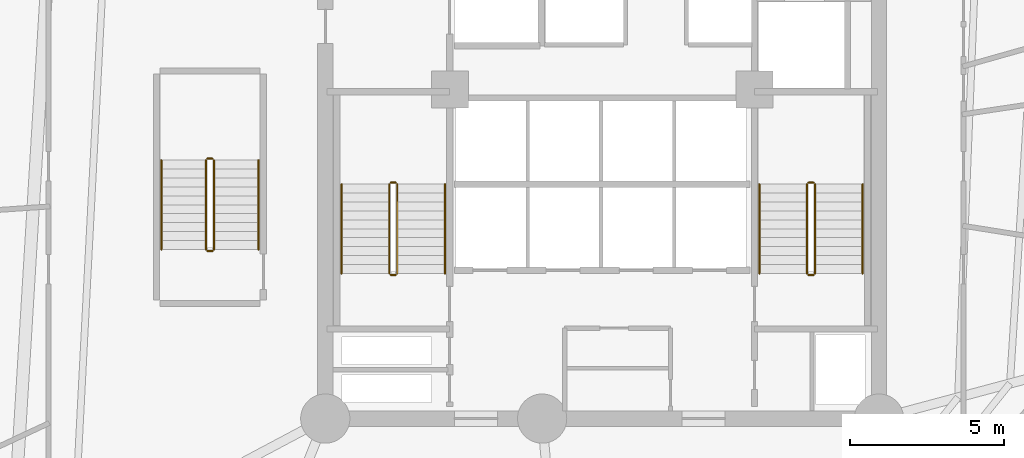
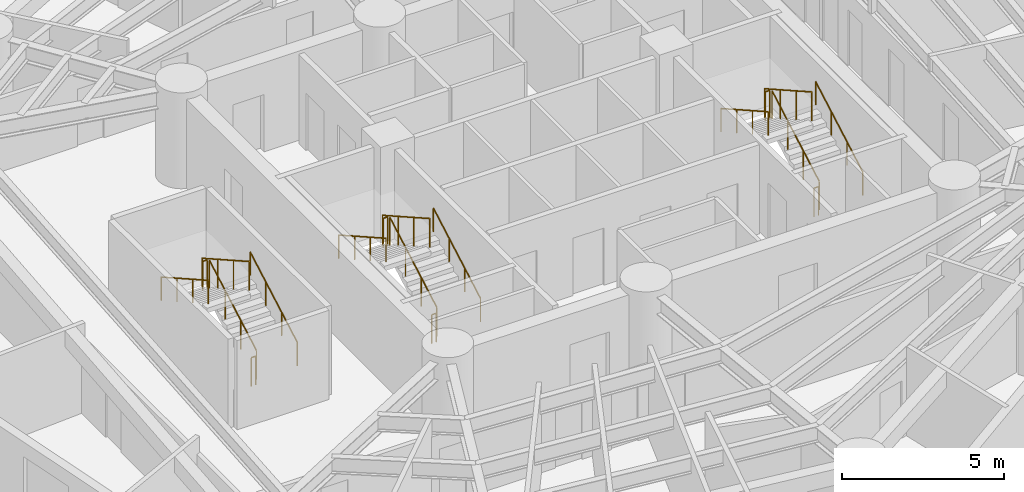
# One storey, part 8 of 8: 18 railings.
"""IFC4 building model written with IfcOpenShell, lengths in metres."""

from ifc_helpers import new_model, si_unit, direction, frame, origin, origin_2d, place, context, subcontext, project, spatial, circle, extrude, material, layer, layer_set, type_object, element, save


model = new_model("IFC4")

# Units and contexts
model_context = context("Model", 3, precision=1e-05, world=origin(), true_north=direction((0.0, 1.0)))
body_context = subcontext(model_context, "Body", "Model", "MODEL_VIEW")
ifc_project = project(units=[si_unit("LENGTHUNIT", "METRE"), si_unit("AREAUNIT", "SQUARE_METRE"), si_unit("VOLUMEUNIT", "CUBIC_METRE"), si_unit("PLANEANGLEUNIT", "RADIAN"), si_unit("MASSUNIT", "GRAM", prefix="KILO")], contexts=[model_context])

# Site, building, storey
site_placement = place(None, origin())
site = spatial("IfcSite", under=ifc_project, at=site_placement, CompositionType="ELEMENT")
building_placement = place(site_placement, origin())
building = spatial("IfcBuilding", under=site, at=building_placement, Name="Karkom Vertical University and Central Library", CompositionType="ELEMENT")
storey_placement = place(building_placement, frame((0.0, 0.0, 76.89990234375)))
storey = spatial("IfcBuildingStorey", under=building, at=storey_placement, Name="L20", CompositionType="ELEMENT", Elevation=76.89990234375)

# Railings
ifc_material_1 = material(Name="Painted galvanised steel balustrade", Category="steel")
ifc_layer_1 = layer(ifc_material_1, 0.06005859375)
ifc_layer_set_1 = layer_set([ifc_layer_1], Name="Painted galvanised steel balustrade")
railing_type_1 = type_object("IfcRailingType", Name="INT-RL-GUARD1100", PredefinedType="GUARDRAIL", material=ifc_layer_set_1)
railing_1_placement = place(storey_placement, frame((21.840087890625, 23.02001953125, 0.163818359375)))
element("IfcRailing", 1, at=railing_1_placement, inside=storey, type_object=railing_type_1, Name="Level 20 ST-1 stair guard 1", PredefinedType="GUARDRAIL", context=body_context, shape_type="SweptSolid", body=[
    extrude(circle(Radius=0.02392578125, at=origin_2d()), frame((0.0, 0.0, 1.076171875), z_axis=(0.0, 0.870928581787, 0.491409610636), x_axis=(-1.0, 0.0, 0.0)), (0.0, 0.0, 1.0), 3.32958984375),
    extrude(circle(Radius=0.02099609375, at=origin_2d()), origin(), (0.0, 0.0, 1.0), 1.052001953125),
    extrude(circle(Radius=0.02099609375, at=origin_2d()), frame((0.0, 0.966552734375, 0.54541015625)), (0.0, 0.0, 1.0), 1.052001953125),
    extrude(circle(Radius=0.02099609375, at=origin_2d()), frame((0.0, 1.933349609375, 1.0908203125)), (0.0, 0.0, 1.0), 1.052001953125),
    extrude(circle(Radius=0.02099609375, at=origin_2d()), frame((0.0, 2.89990234375, 1.63623046875)), (0.0, 0.0, 1.0), 1.052001953125),
])
railing_2_placement = place(storey_placement, frame((21.7900390625, 25.969970703125, 1.800048828125)))
element("IfcRailing", 2, at=railing_2_placement, inside=storey, type_object=railing_type_1, Name="Level 20 ST-1 stair guard 2", PredefinedType="GUARDRAIL", context=body_context, shape_type="SweptSolid", body=[
    extrude(circle(Radius=0.02392578125, at=origin_2d()), frame((0.0, 0.0, 1.076171875), z_axis=(-1.0, 0.0, 0.0), x_axis=(0.0, -1.0, 0.0)), (0.0, 0.0, 1.0), 0.16015625),
    extrude(circle(Radius=0.02099609375, at=origin_2d()), origin(), (0.0, 0.0, 1.0), 1.052001953125),
    extrude(circle(Radius=0.02099609375, at=origin_2d()), frame((-0.16015625, 0.0, 0.0)), (0.0, 0.0, 1.0), 1.052001953125),
])
railing_3_placement = place(storey_placement, frame((21.580078125, 25.919921875, 1.963623046875)))
element("IfcRailing", 3, at=railing_3_placement, inside=storey, type_object=railing_type_1, Name="Level 20 ST-1 stair guard 3", PredefinedType="GUARDRAIL", context=body_context, shape_type="SweptSolid", body=[
    extrude(circle(Radius=0.02392578125, at=origin_2d()), frame((0.0, 0.0, 1.076171875), z_axis=(0.0, -0.870897200241, 0.491465224214), x_axis=(1.0, 0.0, 0.0)), (0.0, 0.0, 1.0), 3.329833984375),
    extrude(circle(Radius=0.02099609375, at=origin_2d()), origin(), (0.0, 0.0, 1.0), 1.052001953125),
    extrude(circle(Radius=0.02099609375, at=origin_2d()), frame((0.0, -0.966552734375, 0.54541015625)), (0.0, 0.0, 1.0), 1.052001953125),
    extrude(circle(Radius=0.02099609375, at=origin_2d()), frame((0.0, -1.933349609375, 1.091064453125)), (0.0, 0.0, 1.0), 1.052001953125),
    extrude(circle(Radius=0.02099609375, at=origin_2d()), frame((0.0, -2.89990234375, 1.636474609375)), (0.0, 0.0, 1.0), 1.052001953125),
])
railing_4_placement = place(storey_placement, frame((21.7900390625, 22.969970703125, 0.0)))
element("IfcRailing", 4, at=railing_4_placement, inside=storey, type_object=railing_type_1, Name="Level 20 ST-1 stair guard 4", PredefinedType="GUARDRAIL", context=body_context, shape_type="SweptSolid", body=[
    extrude(circle(Radius=0.02392578125, at=origin_2d()), frame((0.0, 0.0, 1.076171875), z_axis=(-1.0, 0.0, 0.0), x_axis=(0.0, -1.0, 0.0)), (0.0, 0.0, 1.0), 0.16015625),
    extrude(circle(Radius=0.02099609375, at=origin_2d()), origin(), (0.0, 0.0, 1.0), 1.052001953125),
    extrude(circle(Radius=0.02099609375, at=origin_2d()), frame((-0.16015625, 0.0, 0.0)), (0.0, 0.0, 1.0), 1.052001953125),
])
railing_5_placement = place(storey_placement, frame((35.419921875, 23.02001953125, 0.163818359375)))
element("IfcRailing", 5, at=railing_5_placement, inside=storey, type_object=railing_type_1, Name="Level 20 ST-2 stair guard 1", PredefinedType="GUARDRAIL", context=body_context, shape_type="SweptSolid", body=[
    extrude(circle(Radius=0.02392578125, at=origin_2d()), frame((0.0, 0.0, 1.076171875), z_axis=(0.0, 0.870928581787, 0.491409610636), x_axis=(-1.0, 0.0, 0.0)), (0.0, 0.0, 1.0), 3.32958984375),
    extrude(circle(Radius=0.02099609375, at=origin_2d()), origin(), (0.0, 0.0, 1.0), 1.052001953125),
    extrude(circle(Radius=0.02099609375, at=origin_2d()), frame((0.0, 0.966552734375, 0.54541015625)), (0.0, 0.0, 1.0), 1.052001953125),
    extrude(circle(Radius=0.02099609375, at=origin_2d()), frame((0.0, 1.933349609375, 1.0908203125)), (0.0, 0.0, 1.0), 1.052001953125),
    extrude(circle(Radius=0.02099609375, at=origin_2d()), frame((0.0, 2.89990234375, 1.63623046875)), (0.0, 0.0, 1.0), 1.052001953125),
])
railing_6_placement = place(storey_placement, frame((35.3701171875, 25.969970703125, 1.800048828125)))
element("IfcRailing", 6, at=railing_6_placement, inside=storey, type_object=railing_type_1, Name="Level 20 ST-2 stair guard 2", PredefinedType="GUARDRAIL", context=body_context, shape_type="SweptSolid", body=[
    extrude(circle(Radius=0.02392578125, at=origin_2d()), frame((0.0, 0.0, 1.076171875), z_axis=(-1.0, 0.0, 0.0), x_axis=(0.0, -1.0, 0.0)), (0.0, 0.0, 1.0), 0.16015625),
    extrude(circle(Radius=0.02099609375, at=origin_2d()), origin(), (0.0, 0.0, 1.0), 1.052001953125),
    extrude(circle(Radius=0.02099609375, at=origin_2d()), frame((-0.16015625, 0.0, 0.0)), (0.0, 0.0, 1.0), 1.052001953125),
])
railing_7_placement = place(storey_placement, frame((35.159912109375, 25.919921875, 1.963623046875)))
element("IfcRailing", 7, at=railing_7_placement, inside=storey, type_object=railing_type_1, Name="Level 20 ST-2 stair guard 3", PredefinedType="GUARDRAIL", context=body_context, shape_type="SweptSolid", body=[
    extrude(circle(Radius=0.02392578125, at=origin_2d()), frame((0.0, 0.0, 1.076171875), z_axis=(0.0, -0.870897200241, 0.491465224214), x_axis=(1.0, 0.0, 0.0)), (0.0, 0.0, 1.0), 3.329833984375),
    extrude(circle(Radius=0.02099609375, at=origin_2d()), origin(), (0.0, 0.0, 1.0), 1.052001953125),
    extrude(circle(Radius=0.02099609375, at=origin_2d()), frame((0.0, -0.966552734375, 0.54541015625)), (0.0, 0.0, 1.0), 1.052001953125),
    extrude(circle(Radius=0.02099609375, at=origin_2d()), frame((0.0, -1.933349609375, 1.091064453125)), (0.0, 0.0, 1.0), 1.052001953125),
    extrude(circle(Radius=0.02099609375, at=origin_2d()), frame((0.0, -2.89990234375, 1.636474609375)), (0.0, 0.0, 1.0), 1.052001953125),
])
railing_8_placement = place(storey_placement, frame((35.3701171875, 22.969970703125, 0.0)))
element("IfcRailing", 8, at=railing_8_placement, inside=storey, type_object=railing_type_1, Name="Level 20 ST-2 stair guard 4", PredefinedType="GUARDRAIL", context=body_context, shape_type="SweptSolid", body=[
    extrude(circle(Radius=0.02392578125, at=origin_2d()), frame((0.0, 0.0, 1.076171875), z_axis=(-1.0, 0.0, 0.0), x_axis=(0.0, -1.0, 0.0)), (0.0, 0.0, 1.0), 0.16015625),
    extrude(circle(Radius=0.02099609375, at=origin_2d()), origin(), (0.0, 0.0, 1.0), 1.052001953125),
    extrude(circle(Radius=0.02099609375, at=origin_2d()), frame((-0.16015625, 0.0, 0.0)), (0.0, 0.0, 1.0), 1.052001953125),
])
railing_9_placement = place(storey_placement, frame((15.8798828125, 23.800048828125, 0.163818359375)))
element("IfcRailing", 9, at=railing_9_placement, inside=storey, type_object=railing_type_1, Name="Level 20 ST-3 stair guard 1", PredefinedType="GUARDRAIL", context=body_context, shape_type="SweptSolid", body=[
    extrude(circle(Radius=0.02392578125, at=origin_2d()), frame((0.0, 0.0, 1.076171875), z_axis=(0.0, 0.870928581787, 0.491409610636), x_axis=(-1.0, 0.0, 0.0)), (0.0, 0.0, 1.0), 3.32958984375),
    extrude(circle(Radius=0.02099609375, at=origin_2d()), origin(), (0.0, 0.0, 1.0), 1.052001953125),
    extrude(circle(Radius=0.02099609375, at=origin_2d()), frame((0.0, 0.966552734375, 0.54541015625)), (0.0, 0.0, 1.0), 1.052001953125),
    extrude(circle(Radius=0.02099609375, at=origin_2d()), frame((0.0, 1.933349609375, 1.0908203125)), (0.0, 0.0, 1.0), 1.052001953125),
    extrude(circle(Radius=0.02099609375, at=origin_2d()), frame((0.0, 2.89990234375, 1.63623046875)), (0.0, 0.0, 1.0), 1.052001953125),
])
railing_10_placement = place(storey_placement, frame((15.830078125, 26.75, 1.800048828125)))
element("IfcRailing", 10, at=railing_10_placement, inside=storey, type_object=railing_type_1, Name="Level 20 ST-3 stair guard 2", PredefinedType="GUARDRAIL", context=body_context, shape_type="SweptSolid", body=[
    extrude(circle(Radius=0.02392578125, at=origin_2d()), frame((0.0, 0.0, 1.076171875), z_axis=(-1.0, 0.0, 0.0), x_axis=(0.0, -1.0, 0.0)), (0.0, 0.0, 1.0), 0.16015625),
    extrude(circle(Radius=0.02099609375, at=origin_2d()), origin(), (0.0, 0.0, 1.0), 1.052001953125),
    extrude(circle(Radius=0.02099609375, at=origin_2d()), frame((-0.16015625, 0.0, 0.0)), (0.0, 0.0, 1.0), 1.052001953125),
])
railing_11_placement = place(storey_placement, frame((15.6201171875, 26.699951171875, 1.963623046875)))
element("IfcRailing", 11, at=railing_11_placement, inside=storey, type_object=railing_type_1, Name="Level 20 ST-3 stair guard 3", PredefinedType="GUARDRAIL", context=body_context, shape_type="SweptSolid", body=[
    extrude(circle(Radius=0.02392578125, at=origin_2d()), frame((0.0, 0.0, 1.076171875), z_axis=(0.0, -0.870897200241, 0.491465224214), x_axis=(1.0, 0.0, 0.0)), (0.0, 0.0, 1.0), 3.329833984375),
    extrude(circle(Radius=0.02099609375, at=origin_2d()), origin(), (0.0, 0.0, 1.0), 1.052001953125),
    extrude(circle(Radius=0.02099609375, at=origin_2d()), frame((0.0, -0.966552734375, 0.54541015625)), (0.0, 0.0, 1.0), 1.052001953125),
    extrude(circle(Radius=0.02099609375, at=origin_2d()), frame((0.0, -1.933349609375, 1.091064453125)), (0.0, 0.0, 1.0), 1.052001953125),
    extrude(circle(Radius=0.02099609375, at=origin_2d()), frame((0.0, -2.89990234375, 1.636474609375)), (0.0, 0.0, 1.0), 1.052001953125),
])
railing_12_placement = place(storey_placement, frame((15.830078125, 23.75, 0.0)))
element("IfcRailing", 12, at=railing_12_placement, inside=storey, type_object=railing_type_1, Name="Level 20 ST-3 stair guard 4", PredefinedType="GUARDRAIL", context=body_context, shape_type="SweptSolid", body=[
    extrude(circle(Radius=0.02392578125, at=origin_2d()), frame((0.0, 0.0, 1.076171875), z_axis=(-1.0, 0.0, 0.0), x_axis=(0.0, -1.0, 0.0)), (0.0, 0.0, 1.0), 0.16015625),
    extrude(circle(Radius=0.02099609375, at=origin_2d()), origin(), (0.0, 0.0, 1.0), 1.052001953125),
    extrude(circle(Radius=0.02099609375, at=origin_2d()), frame((-0.16015625, 0.0, 0.0)), (0.0, 0.0, 1.0), 1.052001953125),
])
ifc_material_2 = material(Name="Brushed stainless-steel tubular handrail", Category="steel")
ifc_layer_2 = layer(ifc_material_2, 0.048095703125)
ifc_layer_set_2 = layer_set([ifc_layer_2], Name="Brushed stainless-steel tubular handrail")
railing_type_2 = type_object("IfcRailingType", Name="INT-RL-HAND920", PredefinedType="HANDRAIL", material=ifc_layer_set_2)
railing_13_placement = place(storey_placement, frame((23.389892578125, 23.02001953125, 0.163818359375)))
element("IfcRailing", 13, at=railing_13_placement, inside=storey, type_object=railing_type_2, Name="Level 20 ST-1 stair handrail 1", PredefinedType="HANDRAIL", context=body_context, shape_type="SweptSolid", body=[
    extrude(circle(Radius=0.02392578125, at=origin_2d()), frame((0.0, 0.0, 0.8759765625), z_axis=(0.0, 0.870928581787, 0.491409610636), x_axis=(-1.0, 0.0, 0.0)), (0.0, 0.0, 1.0), 3.32958984375),
    extrude(circle(Radius=0.02099609375, at=origin_2d()), origin(), (0.0, 0.0, 1.0), 0.851806640625),
    extrude(circle(Radius=0.02099609375, at=origin_2d()), frame((0.0, 0.966552734375, 0.54541015625)), (0.0, 0.0, 1.0), 0.851806640625),
    extrude(circle(Radius=0.02099609375, at=origin_2d()), frame((0.0, 1.933349609375, 1.0908203125)), (0.0, 0.0, 1.0), 0.851806640625),
    extrude(circle(Radius=0.02099609375, at=origin_2d()), frame((0.0, 2.89990234375, 1.63623046875)), (0.0, 0.0, 1.0), 0.851806640625),
])
railing_14_placement = place(storey_placement, frame((20.030029296875, 25.919921875, 1.963623046875)))
element("IfcRailing", 14, at=railing_14_placement, inside=storey, type_object=railing_type_2, Name="Level 20 ST-1 stair handrail 2", PredefinedType="HANDRAIL", context=body_context, shape_type="SweptSolid", body=[
    extrude(circle(Radius=0.02392578125, at=origin_2d()), frame((0.0, 0.0, 0.8759765625), z_axis=(0.0, -0.870897200241, 0.491465224214), x_axis=(1.0, 0.0, 0.0)), (0.0, 0.0, 1.0), 3.329833984375),
    extrude(circle(Radius=0.02099609375, at=origin_2d()), origin(), (0.0, 0.0, 1.0), 0.851806640625),
    extrude(circle(Radius=0.02099609375, at=origin_2d()), frame((0.0, -0.966552734375, 0.54541015625)), (0.0, 0.0, 1.0), 0.851806640625),
    extrude(circle(Radius=0.02099609375, at=origin_2d()), frame((0.0, -1.933349609375, 1.091064453125)), (0.0, 0.0, 1.0), 0.851806640625),
    extrude(circle(Radius=0.02099609375, at=origin_2d()), frame((0.0, -2.89990234375, 1.636474609375)), (0.0, 0.0, 1.0), 0.851806640625),
])
railing_15_placement = place(storey_placement, frame((36.969970703125, 23.02001953125, 0.163818359375)))
element("IfcRailing", 15, at=railing_15_placement, inside=storey, type_object=railing_type_2, Name="Level 20 ST-2 stair handrail 1", PredefinedType="HANDRAIL", context=body_context, shape_type="SweptSolid", body=[
    extrude(circle(Radius=0.02392578125, at=origin_2d()), frame((0.0, 0.0, 0.8759765625), z_axis=(0.0, 0.870928581787, 0.491409610636), x_axis=(-1.0, 0.0, 0.0)), (0.0, 0.0, 1.0), 3.32958984375),
    extrude(circle(Radius=0.02099609375, at=origin_2d()), origin(), (0.0, 0.0, 1.0), 0.851806640625),
    extrude(circle(Radius=0.02099609375, at=origin_2d()), frame((0.0, 0.966552734375, 0.54541015625)), (0.0, 0.0, 1.0), 0.851806640625),
    extrude(circle(Radius=0.02099609375, at=origin_2d()), frame((0.0, 1.933349609375, 1.0908203125)), (0.0, 0.0, 1.0), 0.851806640625),
    extrude(circle(Radius=0.02099609375, at=origin_2d()), frame((0.0, 2.89990234375, 1.63623046875)), (0.0, 0.0, 1.0), 0.851806640625),
])
railing_16_placement = place(storey_placement, frame((33.610107421875, 25.919921875, 1.963623046875)))
element("IfcRailing", 16, at=railing_16_placement, inside=storey, type_object=railing_type_2, Name="Level 20 ST-2 stair handrail 2", PredefinedType="HANDRAIL", context=body_context, shape_type="SweptSolid", body=[
    extrude(circle(Radius=0.02392578125, at=origin_2d()), frame((0.0, 0.0, 0.8759765625), z_axis=(0.0, -0.870897200241, 0.491465224214), x_axis=(1.0, 0.0, 0.0)), (0.0, 0.0, 1.0), 3.329833984375),
    extrude(circle(Radius=0.02099609375, at=origin_2d()), origin(), (0.0, 0.0, 1.0), 0.851806640625),
    extrude(circle(Radius=0.02099609375, at=origin_2d()), frame((0.0, -0.966552734375, 0.54541015625)), (0.0, 0.0, 1.0), 0.851806640625),
    extrude(circle(Radius=0.02099609375, at=origin_2d()), frame((0.0, -1.933349609375, 1.091064453125)), (0.0, 0.0, 1.0), 0.851806640625),
    extrude(circle(Radius=0.02099609375, at=origin_2d()), frame((0.0, -2.89990234375, 1.636474609375)), (0.0, 0.0, 1.0), 0.851806640625),
])
railing_17_placement = place(storey_placement, frame((17.330078125, 23.800048828125, 0.163818359375)))
element("IfcRailing", 17, at=railing_17_placement, inside=storey, type_object=railing_type_2, Name="Level 20 ST-3 stair handrail 1", PredefinedType="HANDRAIL", context=body_context, shape_type="SweptSolid", body=[
    extrude(circle(Radius=0.02392578125, at=origin_2d()), frame((0.0, 0.0, 0.8759765625), z_axis=(0.0, 0.870928581787, 0.491409610636), x_axis=(-1.0, 0.0, 0.0)), (0.0, 0.0, 1.0), 3.32958984375),
    extrude(circle(Radius=0.02099609375, at=origin_2d()), origin(), (0.0, 0.0, 1.0), 0.851806640625),
    extrude(circle(Radius=0.02099609375, at=origin_2d()), frame((0.0, 0.966552734375, 0.54541015625)), (0.0, 0.0, 1.0), 0.851806640625),
    extrude(circle(Radius=0.02099609375, at=origin_2d()), frame((0.0, 1.933349609375, 1.0908203125)), (0.0, 0.0, 1.0), 0.851806640625),
    extrude(circle(Radius=0.02099609375, at=origin_2d()), frame((0.0, 2.89990234375, 1.63623046875)), (0.0, 0.0, 1.0), 0.851806640625),
])
railing_18_placement = place(storey_placement, frame((14.169921875, 26.699951171875, 1.963623046875)))
element("IfcRailing", 18, at=railing_18_placement, inside=storey, type_object=railing_type_2, Name="Level 20 ST-3 stair handrail 2", PredefinedType="HANDRAIL", context=body_context, shape_type="SweptSolid", body=[
    extrude(circle(Radius=0.02392578125, at=origin_2d()), frame((0.0, 0.0, 0.8759765625), z_axis=(0.0, -0.870897200241, 0.491465224214), x_axis=(1.0, 0.0, 0.0)), (0.0, 0.0, 1.0), 3.329833984375),
    extrude(circle(Radius=0.02099609375, at=origin_2d()), origin(), (0.0, 0.0, 1.0), 0.851806640625),
    extrude(circle(Radius=0.02099609375, at=origin_2d()), frame((0.0, -0.966552734375, 0.54541015625)), (0.0, 0.0, 1.0), 0.851806640625),
    extrude(circle(Radius=0.02099609375, at=origin_2d()), frame((0.0, -1.933349609375, 1.091064453125)), (0.0, 0.0, 1.0), 0.851806640625),
    extrude(circle(Radius=0.02099609375, at=origin_2d()), frame((0.0, -2.89990234375, 1.636474609375)), (0.0, 0.0, 1.0), 0.851806640625),
])

save(model, "model.ifc")
